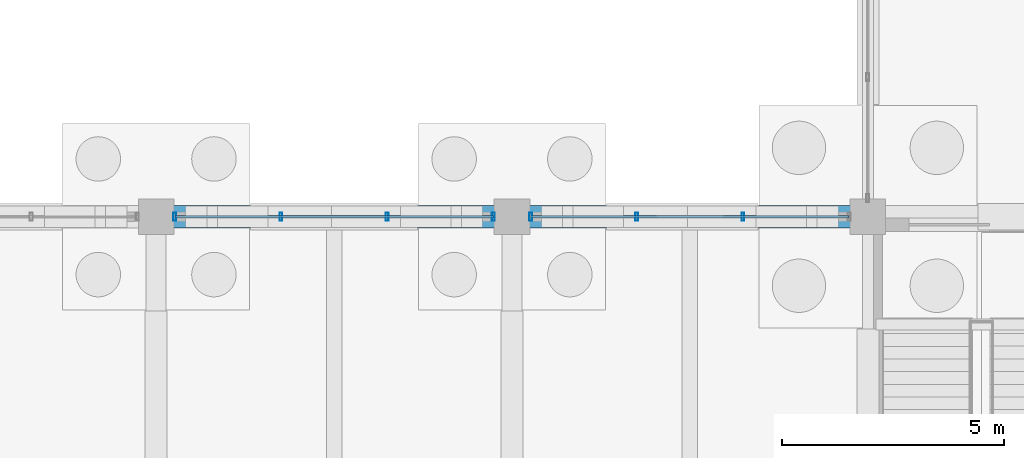
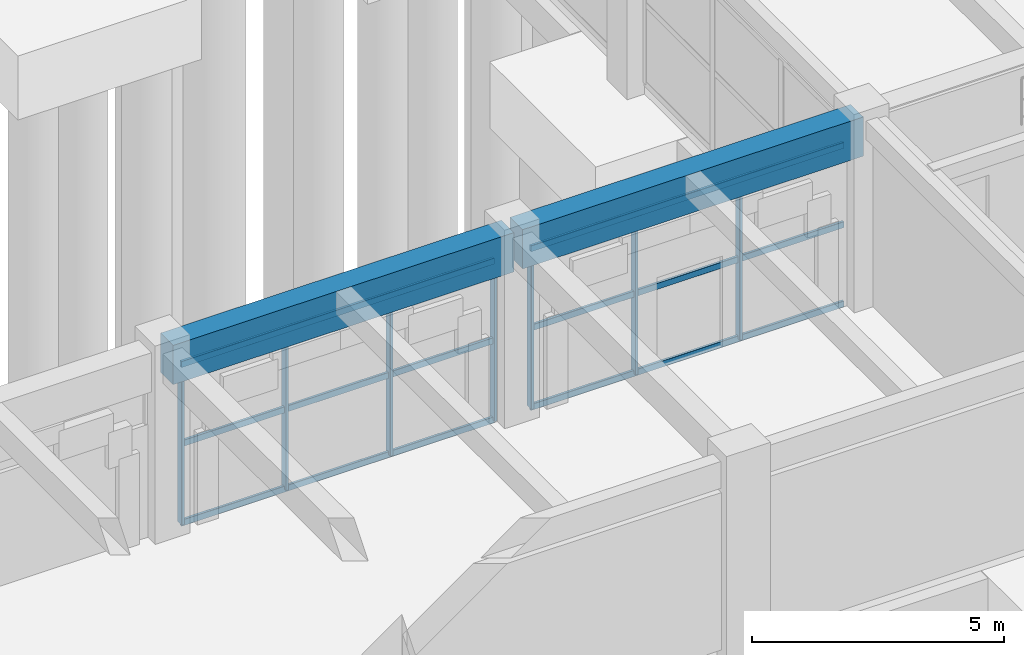
# One storey, part 72 of 147: 13 members, 2 beams, 2 elements without a shape of their own.
"""IFC4 building model written with IfcOpenShell, lengths in metres."""

import ifcopenshell
import ifcopenshell.guid

model = None  # the IFC model being written
_history = None  # IfcOwnerHistory: only IFC2X3 demands one
_inside = {}  # id of a spatial element -> (the spatial element, [elements in it])
_under = {}  # id of a project, library or spatial element -> (it, [spatial elements below it])
_declared = {}  # id of a project -> (the project, [libraries it declares])
_typed = {}  # id of a type object -> (the type object, [elements of that type])
_made_of = {}  # id of a material, layer set ... -> (it, [elements and type objects made of it])


def new_model(schema):
    """Start an empty IFC model of exactly this schema.

    Asked for "IFC4X3", IfcOpenShell would pick the latest addendum, in which some entities
    have other attributes; the version numbers below select the first issue.
    IFC2X3 requires an IfcOwnerHistory on every rooted entity: one is made here for all.
    """
    global model, _history
    if schema == "IFC4X3":
        model = ifcopenshell.file(schema_version=(4, 3, 0, 0))
    else:
        model = ifcopenshell.file(schema=schema)
    _inside.clear()
    _under.clear()
    _declared.clear()
    _typed.clear()
    _made_of.clear()
    _history = None
    if model.schema == "IFC2X3":
        org = make("IfcOrganization", Name="unknown")
        user = make(
            "IfcPersonAndOrganization",
            ThePerson=make("IfcPerson", FamilyName="unknown"),
            TheOrganization=org,
        )
        app = make(
            "IfcApplication",
            ApplicationDeveloper=org,
            Version="unknown",
            ApplicationFullName="unknown",
            ApplicationIdentifier="unknown",
        )
        _history = make(
            "IfcOwnerHistory",
            OwningUser=user,
            OwningApplication=app,
            ChangeAction="ADDED",
            CreationDate=0,
        )
    return model


def make(cls, **values):
    """One entity of the class cls with the attributes given. An attribute that is None is left unset."""
    return model.create_entity(
        cls, **{name: value for name, value in values.items() if value is not None}
    )


def rooted(cls, **values):
    """An entity with a GlobalId (a new one), such as an element, a storey or a relation."""
    return make(cls, GlobalId=ifcopenshell.guid.new(), OwnerHistory=_history, **values)


def si_unit(unit_type, name, prefix=None):
    """IfcSIUnit, for example si_unit("LENGTHUNIT", "METRE", prefix="MILLI")."""
    return make("IfcSIUnit", UnitType=unit_type, Prefix=prefix, Name=name)


def assignment(units):
    """IfcUnitAssignment: the units of a project."""
    return None if units is None else make("IfcUnitAssignment", Units=units)


def point(xyz):
    """IfcCartesianPoint."""
    return None if xyz is None else make("IfcCartesianPoint", Coordinates=xyz)


def direction(xyz):
    """IfcDirection."""
    return None if xyz is None else make("IfcDirection", DirectionRatios=xyz)


def frame(location, z_axis=None, x_axis=None):
    """IfcAxis2Placement3D, a coordinate frame: its origin and axes. An axis left out is left unset."""
    return make(
        "IfcAxis2Placement3D",
        Location=point(location),
        Axis=direction(z_axis),
        RefDirection=direction(x_axis),
    )


def frame_2d(location, x_axis=None):
    """IfcAxis2Placement2D, a coordinate frame in the plane: its origin and x axis."""
    return make(
        "IfcAxis2Placement2D", Location=point(location), RefDirection=direction(x_axis)
    )


def origin():
    """The frame at (0, 0, 0) with its axes left unset."""
    return frame((0.0, 0.0, 0.0))


def origin_2d():
    """The frame at (0, 0) in the plane with its x axis left unset."""
    return frame_2d((0.0, 0.0))


def place(relative_to, where):
    """IfcLocalPlacement: puts the frame where relative to a parent placement (None: the world)."""
    return make(
        "IfcLocalPlacement", PlacementRelTo=relative_to, RelativePlacement=where
    )


def context(
    kind, dimensions, precision=None, world=None, true_north=None, identifier=None
):
    """IfcGeometricRepresentationContext, for example the 3D "Model" context."""
    return make(
        "IfcGeometricRepresentationContext",
        ContextIdentifier=identifier,
        ContextType=kind,
        CoordinateSpaceDimension=dimensions,
        Precision=precision,
        WorldCoordinateSystem=world,
        TrueNorth=true_north,
    )


def subcontext(parent, identifier, kind, view, scale=None):
    """IfcGeometricRepresentationSubContext, for example "Body" below "Model"."""
    return make(
        "IfcGeometricRepresentationSubContext",
        ContextIdentifier=identifier,
        ContextType=kind,
        ParentContext=parent,
        TargetScale=scale,
        TargetView=view,
    )


def project(units=None, contexts=None):
    """IfcProject with its units and contexts."""
    return rooted(
        "IfcProject",
        Name="project",
        RepresentationContexts=contexts,
        UnitsInContext=assignment(units),
    )


def spatial(cls, under=None, at=None, **own):
    """A site, building, storey or space (cls), placed at a placement, below another one or the project."""
    s = rooted(cls, ObjectPlacement=at, **own)
    if under is not None:
        _under.setdefault(under.id(), (under, []))[1].append(s)
    return s


def profile(cls, at=None, kind="AREA", **sizes):
    """A parametric profile (cls). Its sizes go by their IFC names, for example OverallWidth=200.0."""
    return make(cls, ProfileType=kind, Position=at, **sizes)


def rectangle(**sizes):
    """IfcRectangleProfileDef."""
    return profile("IfcRectangleProfileDef", **sizes)


def hollow_rectangle(**sizes):
    """IfcRectangleHollowProfileDef."""
    return profile("IfcRectangleHollowProfileDef", **sizes)


def extrude(swept, where, along, depth):
    """IfcExtrudedAreaSolid: the profile swept, set in the frame where, extruded along a direction by depth."""
    return make(
        "IfcExtrudedAreaSolid",
        SweptArea=swept,
        Position=where,
        ExtrudedDirection=direction(along),
        Depth=depth,
    )


def shape(context_of_items, identifier, shape_type, items):
    """IfcShapeRepresentation: the items that make up one representation, for example the "Body"."""
    return make(
        "IfcShapeRepresentation",
        ContextOfItems=context_of_items,
        RepresentationIdentifier=identifier,
        RepresentationType=shape_type,
        Items=items,
    )


def material(Name=None, Category=None):
    """IfcMaterial."""
    return make("IfcMaterial", Name=Name, Category=Category)


def material_profile(
    of_material, cross_section, Name=None, Category=None, Priority=None
):
    """IfcMaterialProfile: a cross section and its material."""
    return make(
        "IfcMaterialProfile",
        Name=Name,
        Material=of_material,
        Profile=cross_section,
        Priority=Priority,
        Category=Category,
    )


def profile_set(profiles, Name=None, composite=None):
    """IfcMaterialProfileSet."""
    return make(
        "IfcMaterialProfileSet",
        Name=Name,
        MaterialProfiles=profiles,
        CompositeProfile=composite,
    )


def made_of(thing, what):
    """Note that an element or type object is made of a material, layer set ...; save() writes the relation."""
    if what is not None:
        _made_of.setdefault(what.id(), (what, []))[1].append(thing)
    return thing


def type_object(cls, material=None, **own):
    """A type object (cls), such as IfcWallType, which elements share."""
    return made_of(rooted(cls, **own), material)


def element(
    cls,
    number,
    at=None,
    inside=None,
    cuts=None,
    type_object=None,
    material=None,
    context=None,
    identifier="Body",
    shape_type=None,
    held_by="IfcProductDefinitionShape",
    body=None,
    shapes=None,
    **own,
):
    """One element of the class cls, such as IfcWall. Its Tag is "e" and its number.

    at: its placement. inside: the storey or other place that contains it. cuts: it is an
    opening in that element (IfcRelVoidsElement). A single representation is given by context,
    identifier, shape_type and body (its items); several are given by shapes. held_by: the class
    of the entity that holds the representations. save() writes the other relations.
    """
    e = rooted(cls, Tag="e%d" % number, ObjectPlacement=at, **own)
    if body is not None:
        shapes = [shape(context, identifier, shape_type, body)]
    if shapes is not None:
        e.Representation = make(held_by, Representations=shapes)
    if inside is not None:
        _inside.setdefault(inside.id(), (inside, []))[1].append(e)
    if cuts is not None:
        rooted(
            "IfcRelVoidsElement", RelatingBuildingElement=cuts, RelatedOpeningElement=e
        )
    if type_object is not None:
        _typed.setdefault(type_object.id(), (type_object, []))[1].append(e)
    return made_of(e, material)


def aggregate(whole, parts):
    """IfcRelAggregates: a whole, such as a stair, and the parts it consists of."""
    return rooted("IfcRelAggregates", RelatingObject=whole, RelatedObjects=parts)


def save(model, path):
    """Write the relations noted so far, then the file.

    IfcRelAggregates (storeys below a building ...), IfcRelContainedInSpatialStructure (elements
    in a storey), IfcRelDefinesByType, IfcRelAssociatesMaterial and IfcRelDeclares: one each for
    every whole, place, type object, material and project.
    """
    for whole, parts in _under.values():
        aggregate(whole, parts)
    for where, things in _inside.values():
        rooted(
            "IfcRelContainedInSpatialStructure",
            RelatedElements=things,
            RelatingStructure=where,
        )
    for kind, things in _typed.values():
        rooted("IfcRelDefinesByType", RelatedObjects=things, RelatingType=kind)
    for what, things in _made_of.values():
        rooted("IfcRelAssociatesMaterial", RelatedObjects=things, RelatingMaterial=what)
    for by, libraries in _declared.values():
        rooted("IfcRelDeclares", RelatingContext=by, RelatedDefinitions=libraries)
    model.write(path)


model = new_model("IFC4")

# Units and contexts
model_context = context("Model", 3, precision=1e-05, world=origin(), true_north=direction((0.0, 1.0)))
body_context = subcontext(model_context, "Body", "Model", "MODEL_VIEW")
ifc_project = project(units=[si_unit("LENGTHUNIT", "METRE"), si_unit("AREAUNIT", "SQUARE_METRE"), si_unit("VOLUMEUNIT", "CUBIC_METRE"), si_unit("PLANEANGLEUNIT", "RADIAN"), si_unit("MASSUNIT", "GRAM", prefix="KILO")], contexts=[model_context])

# Site, building, storey
site_placement = place(None, origin())
site = spatial("IfcSite", under=ifc_project, at=site_placement, CompositionType="ELEMENT")
building_placement = place(site_placement, origin())
building = spatial("IfcBuilding", under=site, at=building_placement, Name="Varnabhumi Central Station", CompositionType="ELEMENT")
storey_placement = place(building_placement, origin())
storey = spatial("IfcBuildingStorey", under=building, at=storey_placement, Name="L00", CompositionType="ELEMENT", Elevation=0.0)

# Beams
ifc_material_1 = material(Name="Concrete M40", Category="concrete")
ifc_material_profile_1 = material_profile(ifc_material_1, rectangle(XDim=0.5, YDim=0.949951171875, at=origin_2d()), Name="Concrete M40", Category="concrete")
ifc_profile_set_1 = profile_set([ifc_material_profile_1], Name="Concrete M40")
beam_type = type_object("IfcBeamType", Name="BM-RC-500x950", PredefinedType="BEAM", material=ifc_profile_set_1)
for number, where, z_axis, x_axis, name in (
    (1, (128.10009765625, 9.0, 4.074951171875), (1.0, 0.0, 0.0), (0.0, 1.0, 0.0), "Beam L00-B:17-18"),
    (2, (136.10009765625, 9.0, 4.074951171875), (1.0, 0.0, 0.0), (0.0, 1.0, 0.0), "Beam L00-B:18-19"),
):
    element("IfcBeam", number, at=place(storey_placement, frame(where, z_axis=z_axis, x_axis=x_axis)), inside=storey, type_object=beam_type, Name=name, PredefinedType="BEAM", context=body_context, shape_type="SweptSolid", body=[
        extrude(rectangle(XDim=0.5, YDim=0.949951171875, at=origin_2d()), origin(), (0.0, 0.0, 1.0), 7.7998046875),
    ])

# Curtain wall, members
ifc_material_2 = material(Name="Anodised aluminium 6063-T6", Category="aluminium")
curtain_wall_type = type_object("IfcCurtainWallType", Name="CW-PATIO-LOGGIA-L0", PredefinedType="NOTDEFINED", material=ifc_material_2)
curtain_wall_1_placement = place(storey_placement, origin())
curtain_wall_1 = element("IfcCurtainWall", 3, at=curtain_wall_1_placement, inside=storey, type_object=curtain_wall_type, Name="Curtain Wall CW-SP0S3", PredefinedType="NOTDEFINED")
ifc_material_profile_2 = material_profile(ifc_material_2, hollow_rectangle(XDim=0.06494140625, YDim=0.179931640625, WallThickness=0.00390625, InnerFilletRadius=0.001953125, OuterFilletRadius=0.006103515625, at=origin_2d()), Name="Anodised aluminium 6063-T6", Category="aluminium")
ifc_profile_set_2 = profile_set([ifc_material_profile_2], Name="Anodised aluminium 6063-T6")
member_type_1 = type_object("IfcMemberType", Name="CW-MUL-180", PredefinedType="MULLION", material=ifc_profile_set_2)
member_1_placement = place(storey_placement, frame((128.419921875, 9.0, 0.0), z_axis=(0.0, 0.0, 1.0), x_axis=(1.0, 0.0, 0.0)))
member_1 = element("IfcMember", 4, at=member_1_placement, type_object=member_type_1, Name="Curtain Wall Mullion CW-SP0S3-M1", PredefinedType="MULLION", context=body_context, shape_type="SweptSolid", body=[
    extrude(hollow_rectangle(XDim=0.06494140625, YDim=0.179931640625, WallThickness=0.00390625, InnerFilletRadius=0.001953125, OuterFilletRadius=0.006103515625, at=origin_2d()), origin(), (0.0, 0.0, 1.0), 3.840087890625),
])
member_2_placement = place(storey_placement, frame((130.806640625, 9.0, 0.0), z_axis=(0.0, 0.0, 1.0), x_axis=(1.0, 0.0, 0.0)))
member_2 = element("IfcMember", 5, at=member_2_placement, type_object=member_type_1, Name="Curtain Wall Mullion CW-SP0S3-M2", PredefinedType="MULLION", context=body_context, shape_type="SweptSolid", body=[
    extrude(hollow_rectangle(XDim=0.06494140625, YDim=0.179931640625, WallThickness=0.00390625, InnerFilletRadius=0.001953125, OuterFilletRadius=0.006103515625, at=origin_2d()), origin(), (0.0, 0.0, 1.0), 3.840087890625),
])
member_3_placement = place(storey_placement, frame((133.193359375, 9.0, 0.0), z_axis=(0.0, 0.0, 1.0), x_axis=(1.0, 0.0, 0.0)))
member_3 = element("IfcMember", 6, at=member_3_placement, type_object=member_type_1, Name="Curtain Wall Mullion CW-SP0S3-M3", PredefinedType="MULLION", context=body_context, shape_type="SweptSolid", body=[
    extrude(hollow_rectangle(XDim=0.06494140625, YDim=0.179931640625, WallThickness=0.00390625, InnerFilletRadius=0.001953125, OuterFilletRadius=0.006103515625, at=origin_2d()), origin(), (0.0, 0.0, 1.0), 3.840087890625),
])
member_4_placement = place(storey_placement, frame((135.580078125, 9.0, 0.0), z_axis=(0.0, 0.0, 1.0), x_axis=(1.0, 0.0, 0.0)))
member_4 = element("IfcMember", 7, at=member_4_placement, type_object=member_type_1, Name="Curtain Wall Mullion CW-SP0S3-M4", PredefinedType="MULLION", context=body_context, shape_type="SweptSolid", body=[
    extrude(hollow_rectangle(XDim=0.06494140625, YDim=0.179931640625, WallThickness=0.00390625, InnerFilletRadius=0.001953125, OuterFilletRadius=0.006103515625, at=origin_2d()), origin(), (0.0, 0.0, 1.0), 3.840087890625),
])

curtain_wall_2_placement = place(storey_placement, origin())
curtain_wall_2 = element("IfcCurtainWall", 8, at=curtain_wall_2_placement, inside=storey, type_object=curtain_wall_type, Name="Curtain Wall CW-SP0S4", PredefinedType="NOTDEFINED")
member_5_placement = place(storey_placement, frame((136.419921875, 9.0, 0.0), z_axis=(0.0, 0.0, 1.0), x_axis=(1.0, 0.0, 0.0)))
member_5 = element("IfcMember", 9, at=member_5_placement, type_object=member_type_1, Name="Curtain Wall Mullion CW-SP0S4-M1", PredefinedType="MULLION", context=body_context, shape_type="SweptSolid", body=[
    extrude(hollow_rectangle(XDim=0.06494140625, YDim=0.179931640625, WallThickness=0.00390625, InnerFilletRadius=0.001953125, OuterFilletRadius=0.006103515625, at=origin_2d()), origin(), (0.0, 0.0, 1.0), 3.840087890625),
])
member_6_placement = place(storey_placement, frame((138.806640625, 9.0, 0.0), z_axis=(0.0, 0.0, 1.0), x_axis=(1.0, 0.0, 0.0)))
member_6 = element("IfcMember", 10, at=member_6_placement, type_object=member_type_1, Name="Curtain Wall Mullion CW-SP0S4-M2", PredefinedType="MULLION", context=body_context, shape_type="SweptSolid", body=[
    extrude(hollow_rectangle(XDim=0.06494140625, YDim=0.179931640625, WallThickness=0.00390625, InnerFilletRadius=0.001953125, OuterFilletRadius=0.006103515625, at=origin_2d()), origin(), (0.0, 0.0, 1.0), 3.840087890625),
])
member_7_placement = place(storey_placement, frame((141.193359375, 9.0, 0.0), z_axis=(0.0, 0.0, 1.0), x_axis=(1.0, 0.0, 0.0)))
member_7 = element("IfcMember", 11, at=member_7_placement, type_object=member_type_1, Name="Curtain Wall Mullion CW-SP0S4-M3", PredefinedType="MULLION", context=body_context, shape_type="SweptSolid", body=[
    extrude(hollow_rectangle(XDim=0.06494140625, YDim=0.179931640625, WallThickness=0.00390625, InnerFilletRadius=0.001953125, OuterFilletRadius=0.006103515625, at=origin_2d()), origin(), (0.0, 0.0, 1.0), 3.840087890625),
])

# Member
ifc_material_profile_3 = material_profile(ifc_material_2, hollow_rectangle(XDim=0.06005859375, YDim=0.14990234375, WallThickness=0.00390625, InnerFilletRadius=0.001953125, OuterFilletRadius=0.006103515625, at=origin_2d()), Name="Anodised aluminium 6063-T6", Category="aluminium")
ifc_profile_set_3 = profile_set([ifc_material_profile_3], Name="Anodised aluminium 6063-T6")
member_type_2 = type_object("IfcMemberType", Name="CW-TR-150", PredefinedType="USERDEFINED", material=ifc_profile_set_3)
member_8_placement = place(storey_placement, frame((128.419921875, 9.0, 0.0), z_axis=(1.0, 0.0, 0.0), x_axis=(0.0, 1.0, 0.0)))
member_8 = element("IfcMember", 12, at=member_8_placement, type_object=member_type_2, Name="Curtain Wall Transom CW-SP0S3-T1", ObjectType="TRANSOM", PredefinedType="USERDEFINED", context=body_context, shape_type="SweptSolid", body=[
    extrude(hollow_rectangle(XDim=0.06005859375, YDim=0.14990234375, WallThickness=0.00390625, InnerFilletRadius=0.001953125, OuterFilletRadius=0.006103515625, at=origin_2d()), origin(), (0.0, 0.0, 1.0), 7.16015625),
])

member_9_placement = place(storey_placement, frame((128.419921875, 9.0, 1.919921875), z_axis=(1.0, 0.0, 0.0), x_axis=(0.0, 1.0, 0.0)))
member_9 = element("IfcMember", 13, at=member_9_placement, type_object=member_type_2, Name="Curtain Wall Transom CW-SP0S3-T2", ObjectType="TRANSOM", PredefinedType="USERDEFINED", context=body_context, shape_type="SweptSolid", body=[
    extrude(hollow_rectangle(XDim=0.06005859375, YDim=0.14990234375, WallThickness=0.00390625, InnerFilletRadius=0.001953125, OuterFilletRadius=0.006103515625, at=origin_2d()), origin(), (0.0, 0.0, 1.0), 7.16015625),
])

member_10_placement = place(storey_placement, frame((128.419921875, 9.0, 3.840087890625), z_axis=(1.0, 0.0, 0.0), x_axis=(0.0, 1.0, 0.0)))
member_10 = element("IfcMember", 14, at=member_10_placement, type_object=member_type_2, Name="Curtain Wall Transom CW-SP0S3-T3", ObjectType="TRANSOM", PredefinedType="USERDEFINED", context=body_context, shape_type="SweptSolid", body=[
    extrude(hollow_rectangle(XDim=0.06005859375, YDim=0.14990234375, WallThickness=0.00390625, InnerFilletRadius=0.001953125, OuterFilletRadius=0.006103515625, at=origin_2d()), origin(), (0.0, 0.0, 1.0), 7.16015625),
])

aggregate(curtain_wall_1, [member_1, member_2, member_3, member_4, member_8, member_9, member_10])

member_11_placement = place(storey_placement, frame((136.419921875, 9.0, 0.0), z_axis=(1.0, 0.0, 0.0), x_axis=(0.0, 1.0, 0.0)))
member_11 = element("IfcMember", 15, at=member_11_placement, type_object=member_type_2, Name="Curtain Wall Transom CW-SP0S4-T1", ObjectType="TRANSOM", PredefinedType="USERDEFINED", context=body_context, shape_type="SweptSolid", body=[
    extrude(hollow_rectangle(XDim=0.06005859375, YDim=0.14990234375, WallThickness=0.00390625, InnerFilletRadius=0.001953125, OuterFilletRadius=0.006103515625, at=origin_2d()), origin(), (0.0, 0.0, 1.0), 7.16015625),
])

member_12_placement = place(storey_placement, frame((136.419921875, 9.0, 1.919921875), z_axis=(1.0, 0.0, 0.0), x_axis=(0.0, 1.0, 0.0)))
member_12 = element("IfcMember", 16, at=member_12_placement, type_object=member_type_2, Name="Curtain Wall Transom CW-SP0S4-T2", ObjectType="TRANSOM", PredefinedType="USERDEFINED", context=body_context, shape_type="SweptSolid", body=[
    extrude(hollow_rectangle(XDim=0.06005859375, YDim=0.14990234375, WallThickness=0.00390625, InnerFilletRadius=0.001953125, OuterFilletRadius=0.006103515625, at=origin_2d()), origin(), (0.0, 0.0, 1.0), 7.16015625),
])

member_13_placement = place(storey_placement, frame((136.419921875, 9.0, 3.840087890625), z_axis=(1.0, 0.0, 0.0), x_axis=(0.0, 1.0, 0.0)))
member_13 = element("IfcMember", 17, at=member_13_placement, type_object=member_type_2, Name="Curtain Wall Transom CW-SP0S4-T3", ObjectType="TRANSOM", PredefinedType="USERDEFINED", context=body_context, shape_type="SweptSolid", body=[
    extrude(hollow_rectangle(XDim=0.06005859375, YDim=0.14990234375, WallThickness=0.00390625, InnerFilletRadius=0.001953125, OuterFilletRadius=0.006103515625, at=origin_2d()), origin(), (0.0, 0.0, 1.0), 7.16015625),
])

aggregate(curtain_wall_2, [member_5, member_6, member_7, member_11, member_12, member_13])

save(model, "model.ifc")
